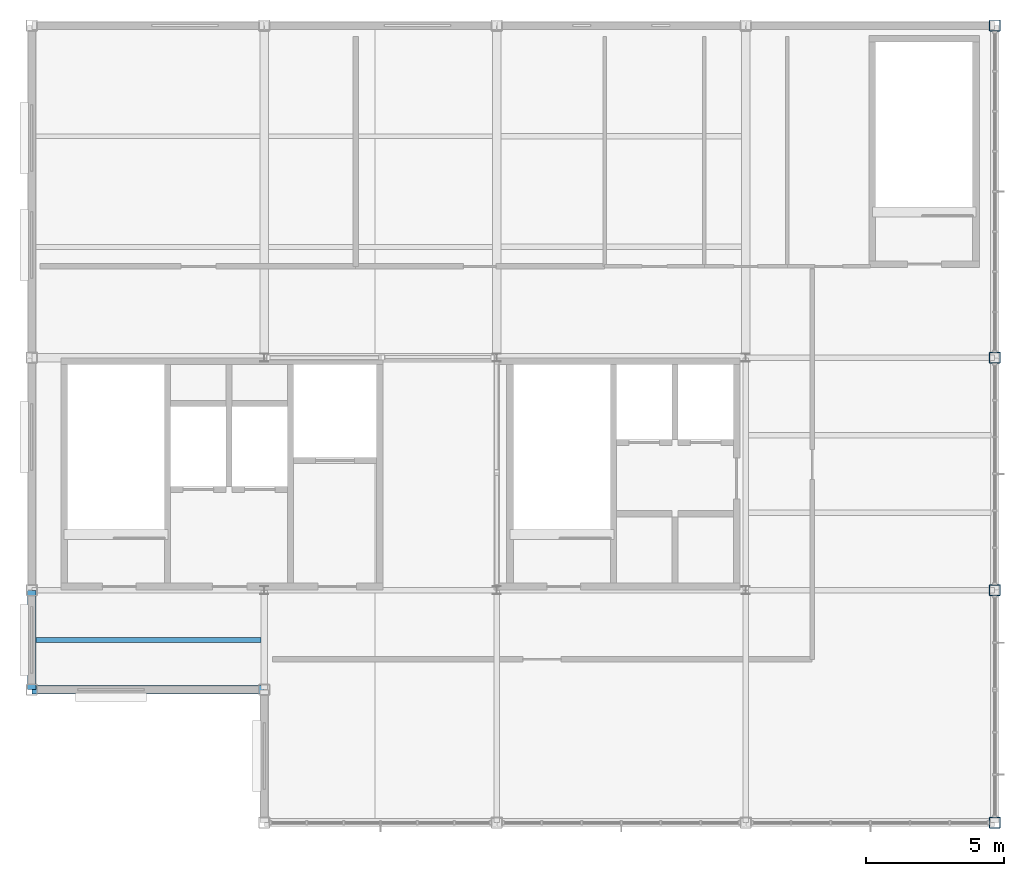
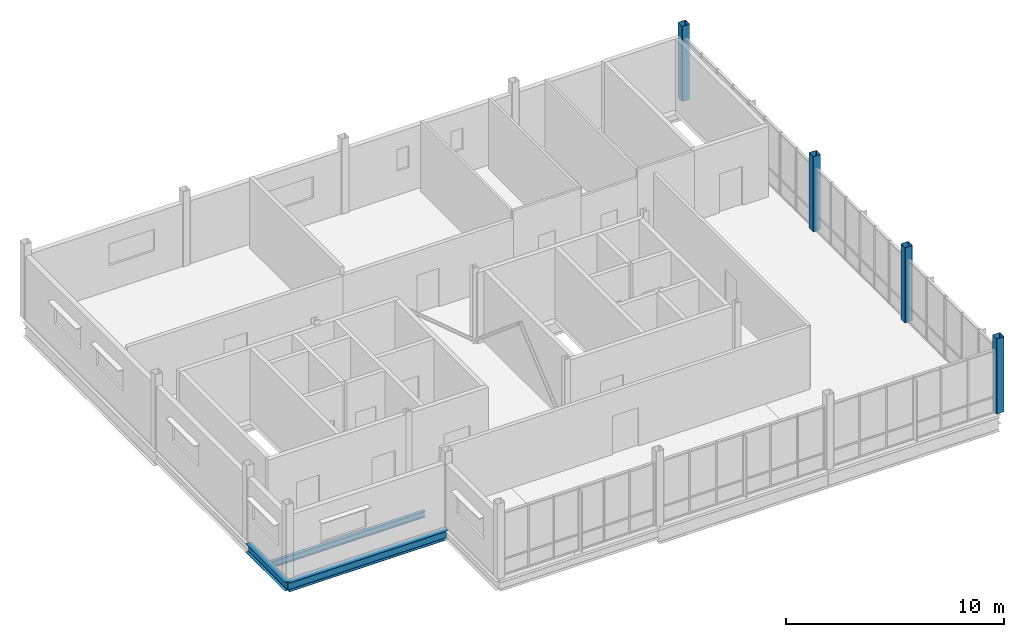
# One storey, part 3 of 15: 4 columns, 3 beams.
"""IFC4 building model written with IfcOpenShell, lengths in metres."""

import ifcopenshell
import ifcopenshell.guid

model = None  # the IFC model being written
_history = None  # IfcOwnerHistory: only IFC2X3 demands one
_inside = {}  # id of a spatial element -> (the spatial element, [elements in it])
_under = {}  # id of a project, library or spatial element -> (it, [spatial elements below it])
_declared = {}  # id of a project -> (the project, [libraries it declares])
_typed = {}  # id of a type object -> (the type object, [elements of that type])
_made_of = {}  # id of a material, layer set ... -> (it, [elements and type objects made of it])


def new_model(schema):
    """Start an empty IFC model of exactly this schema.

    Asked for "IFC4X3", IfcOpenShell would pick the latest addendum, in which some entities
    have other attributes; the version numbers below select the first issue.
    IFC2X3 requires an IfcOwnerHistory on every rooted entity: one is made here for all.
    """
    global model, _history
    if schema == "IFC4X3":
        model = ifcopenshell.file(schema_version=(4, 3, 0, 0))
    else:
        model = ifcopenshell.file(schema=schema)
    _inside.clear()
    _under.clear()
    _declared.clear()
    _typed.clear()
    _made_of.clear()
    _history = None
    if model.schema == "IFC2X3":
        org = make("IfcOrganization", Name="unknown")
        user = make(
            "IfcPersonAndOrganization",
            ThePerson=make("IfcPerson", FamilyName="unknown"),
            TheOrganization=org,
        )
        app = make(
            "IfcApplication",
            ApplicationDeveloper=org,
            Version="unknown",
            ApplicationFullName="unknown",
            ApplicationIdentifier="unknown",
        )
        _history = make(
            "IfcOwnerHistory",
            OwningUser=user,
            OwningApplication=app,
            ChangeAction="ADDED",
            CreationDate=0,
        )
    return model


def make(cls, **values):
    """One entity of the class cls with the attributes given. An attribute that is None is left unset."""
    return model.create_entity(
        cls, **{name: value for name, value in values.items() if value is not None}
    )


def rooted(cls, **values):
    """An entity with a GlobalId (a new one), such as an element, a storey or a relation."""
    return make(cls, GlobalId=ifcopenshell.guid.new(), OwnerHistory=_history, **values)


def si_unit(unit_type, name, prefix=None):
    """IfcSIUnit, for example si_unit("LENGTHUNIT", "METRE", prefix="MILLI")."""
    return make("IfcSIUnit", UnitType=unit_type, Prefix=prefix, Name=name)


def assignment(units):
    """IfcUnitAssignment: the units of a project."""
    return None if units is None else make("IfcUnitAssignment", Units=units)


def point(xyz):
    """IfcCartesianPoint."""
    return None if xyz is None else make("IfcCartesianPoint", Coordinates=xyz)


def direction(xyz):
    """IfcDirection."""
    return None if xyz is None else make("IfcDirection", DirectionRatios=xyz)


def frame(location, z_axis=None, x_axis=None):
    """IfcAxis2Placement3D, a coordinate frame: its origin and axes. An axis left out is left unset."""
    return make(
        "IfcAxis2Placement3D",
        Location=point(location),
        Axis=direction(z_axis),
        RefDirection=direction(x_axis),
    )


def frame_2d(location, x_axis=None):
    """IfcAxis2Placement2D, a coordinate frame in the plane: its origin and x axis."""
    return make(
        "IfcAxis2Placement2D", Location=point(location), RefDirection=direction(x_axis)
    )


def origin():
    """The frame at (0, 0, 0) with its axes left unset."""
    return frame((0.0, 0.0, 0.0))


def origin_2d():
    """The frame at (0, 0) in the plane with its x axis left unset."""
    return frame_2d((0.0, 0.0))


def place(relative_to, where):
    """IfcLocalPlacement: puts the frame where relative to a parent placement (None: the world)."""
    return make(
        "IfcLocalPlacement", PlacementRelTo=relative_to, RelativePlacement=where
    )


def context(
    kind, dimensions, precision=None, world=None, true_north=None, identifier=None
):
    """IfcGeometricRepresentationContext, for example the 3D "Model" context."""
    return make(
        "IfcGeometricRepresentationContext",
        ContextIdentifier=identifier,
        ContextType=kind,
        CoordinateSpaceDimension=dimensions,
        Precision=precision,
        WorldCoordinateSystem=world,
        TrueNorth=true_north,
    )


def subcontext(parent, identifier, kind, view, scale=None):
    """IfcGeometricRepresentationSubContext, for example "Body" below "Model"."""
    return make(
        "IfcGeometricRepresentationSubContext",
        ContextIdentifier=identifier,
        ContextType=kind,
        ParentContext=parent,
        TargetScale=scale,
        TargetView=view,
    )


def project(units=None, contexts=None):
    """IfcProject with its units and contexts."""
    return rooted(
        "IfcProject",
        Name="project",
        RepresentationContexts=contexts,
        UnitsInContext=assignment(units),
    )


def spatial(cls, under=None, at=None, **own):
    """A site, building, storey or space (cls), placed at a placement, below another one or the project."""
    s = rooted(cls, ObjectPlacement=at, **own)
    if under is not None:
        _under.setdefault(under.id(), (under, []))[1].append(s)
    return s


def profile(cls, at=None, kind="AREA", **sizes):
    """A parametric profile (cls). Its sizes go by their IFC names, for example OverallWidth=200.0."""
    return make(cls, ProfileType=kind, Position=at, **sizes)


def hollow_rectangle(**sizes):
    """IfcRectangleHollowProfileDef."""
    return profile("IfcRectangleHollowProfileDef", **sizes)


def i_section(**sizes):
    """IfcIShapeProfileDef."""
    return profile("IfcIShapeProfileDef", **sizes)


def extrude(swept, where, along, depth):
    """IfcExtrudedAreaSolid: the profile swept, set in the frame where, extruded along a direction by depth."""
    return make(
        "IfcExtrudedAreaSolid",
        SweptArea=swept,
        Position=where,
        ExtrudedDirection=direction(along),
        Depth=depth,
    )


def shape(context_of_items, identifier, shape_type, items):
    """IfcShapeRepresentation: the items that make up one representation, for example the "Body"."""
    return make(
        "IfcShapeRepresentation",
        ContextOfItems=context_of_items,
        RepresentationIdentifier=identifier,
        RepresentationType=shape_type,
        Items=items,
    )


def material(Name=None, Category=None):
    """IfcMaterial."""
    return make("IfcMaterial", Name=Name, Category=Category)


def material_profile(
    of_material, cross_section, Name=None, Category=None, Priority=None
):
    """IfcMaterialProfile: a cross section and its material."""
    return make(
        "IfcMaterialProfile",
        Name=Name,
        Material=of_material,
        Profile=cross_section,
        Priority=Priority,
        Category=Category,
    )


def profile_set(profiles, Name=None, composite=None):
    """IfcMaterialProfileSet."""
    return make(
        "IfcMaterialProfileSet",
        Name=Name,
        MaterialProfiles=profiles,
        CompositeProfile=composite,
    )


def made_of(thing, what):
    """Note that an element or type object is made of a material, layer set ...; save() writes the relation."""
    if what is not None:
        _made_of.setdefault(what.id(), (what, []))[1].append(thing)
    return thing


def type_object(cls, material=None, **own):
    """A type object (cls), such as IfcWallType, which elements share."""
    return made_of(rooted(cls, **own), material)


def element(
    cls,
    number,
    at=None,
    inside=None,
    cuts=None,
    type_object=None,
    material=None,
    context=None,
    identifier="Body",
    shape_type=None,
    held_by="IfcProductDefinitionShape",
    body=None,
    shapes=None,
    **own,
):
    """One element of the class cls, such as IfcWall. Its Tag is "e" and its number.

    at: its placement. inside: the storey or other place that contains it. cuts: it is an
    opening in that element (IfcRelVoidsElement). A single representation is given by context,
    identifier, shape_type and body (its items); several are given by shapes. held_by: the class
    of the entity that holds the representations. save() writes the other relations.
    """
    e = rooted(cls, Tag="e%d" % number, ObjectPlacement=at, **own)
    if body is not None:
        shapes = [shape(context, identifier, shape_type, body)]
    if shapes is not None:
        e.Representation = make(held_by, Representations=shapes)
    if inside is not None:
        _inside.setdefault(inside.id(), (inside, []))[1].append(e)
    if cuts is not None:
        rooted(
            "IfcRelVoidsElement", RelatingBuildingElement=cuts, RelatedOpeningElement=e
        )
    if type_object is not None:
        _typed.setdefault(type_object.id(), (type_object, []))[1].append(e)
    return made_of(e, material)


def aggregate(whole, parts):
    """IfcRelAggregates: a whole, such as a stair, and the parts it consists of."""
    return rooted("IfcRelAggregates", RelatingObject=whole, RelatedObjects=parts)


def save(model, path):
    """Write the relations noted so far, then the file.

    IfcRelAggregates (storeys below a building ...), IfcRelContainedInSpatialStructure (elements
    in a storey), IfcRelDefinesByType, IfcRelAssociatesMaterial and IfcRelDeclares: one each for
    every whole, place, type object, material and project.
    """
    for whole, parts in _under.values():
        aggregate(whole, parts)
    for where, things in _inside.values():
        rooted(
            "IfcRelContainedInSpatialStructure",
            RelatedElements=things,
            RelatingStructure=where,
        )
    for kind, things in _typed.values():
        rooted("IfcRelDefinesByType", RelatedObjects=things, RelatingType=kind)
    for what, things in _made_of.values():
        rooted("IfcRelAssociatesMaterial", RelatedObjects=things, RelatingMaterial=what)
    for by, libraries in _declared.values():
        rooted("IfcRelDeclares", RelatingContext=by, RelatedDefinitions=libraries)
    model.write(path)


model = new_model("IFC4")

# Units and contexts
model_context = context("Model", 3, precision=1e-05, world=origin(), true_north=direction((0.0, 1.0)))
body_context = subcontext(model_context, "Body", "Model", "MODEL_VIEW")
ifc_project = project(units=[si_unit("LENGTHUNIT", "METRE"), si_unit("AREAUNIT", "SQUARE_METRE"), si_unit("VOLUMEUNIT", "CUBIC_METRE"), si_unit("PLANEANGLEUNIT", "RADIAN"), si_unit("MASSUNIT", "GRAM", prefix="KILO")], contexts=[model_context])

# Site, building, storey
site_placement = place(None, origin())
site = spatial("IfcSite", under=ifc_project, at=site_placement, CompositionType="ELEMENT")
building_placement = place(site_placement, origin())
building = spatial("IfcBuilding", under=site, at=building_placement, Name="Yukiwa Park Conservatory and Herbarium", CompositionType="ELEMENT")
storey_placement = place(building_placement, frame((0.0, 0.0, 61.199951171875)))
storey = spatial("IfcBuildingStorey", under=building, at=storey_placement, Name="L16", CompositionType="ELEMENT", Elevation=61.199951171875)

# Columns
ifc_material_1 = material(Name="Steel Q355D", Category="steel")
ifc_material_profile_1 = material_profile(ifc_material_1, hollow_rectangle(XDim=0.39990234375, YDim=0.39990234375, WallThickness=0.01611328125, InnerFilletRadius=0.01611328125, OuterFilletRadius=0.031982421875, at=origin_2d()), Name="BOX 400x400x16")
ifc_profile_set_1 = profile_set([ifc_material_profile_1], Name="Steel Q355D")
column_type = type_object("IfcColumnType", Name="COL-TW-BOX400-EXT", PredefinedType="COLUMN", material=ifc_profile_set_1)
for number, where, z_axis, x_axis, name in (
    (1, (168.0, 86.39990234375, 0.0), (0.0, 0.0, 1.0), (1.0, 0.0, 0.0), "L16 column V5-X1680-Y864"),
    (2, (168.0, 94.800048828125, 0.0), (0.0, 0.0, 1.0), (1.0, 0.0, 0.0), "L16 column V5-X1680-Y948"),
    (3, (168.0, 103.199951171875, 0.0), (0.0, 0.0, 1.0), (1.0, 0.0, 0.0), "L16 column V5-X1680-Y1032"),
    (4, (168.0, 115.199951171875, 0.0), (0.0, 0.0, 1.0), (1.0, 0.0, 0.0), "L16 column V5-X1680-Y1152"),
):
    element("IfcColumn", number, at=place(storey_placement, frame(where, z_axis=z_axis, x_axis=x_axis)), inside=storey, type_object=column_type, Name=name, PredefinedType="COLUMN", context=body_context, shape_type="SweptSolid", body=[
        extrude(hollow_rectangle(XDim=0.39990234375, YDim=0.39990234375, WallThickness=0.01611328125, InnerFilletRadius=0.01611328125, OuterFilletRadius=0.031982421875, at=origin_2d()), origin(), (0.0, 0.0, 1.0), 4.199951171875),
    ])

# Beams
ifc_material_2 = material(Name="Steel Q355D", Category="steel")
ifc_material_profile_2 = material_profile(ifc_material_2, i_section(OverallWidth=0.174072265625, OverallDepth=0.345947265625, WebThickness=0.006103515625, FlangeThickness=0.009033203125, FilletRadius=0.013916015625, at=origin_2d()), Name="HN 346x174x6x9")
ifc_profile_set_2 = profile_set([ifc_material_profile_2], Name="Steel Q355D")
beam_type_1 = type_object("IfcBeamType", Name="BM-JST-HN346", PredefinedType="JOIST", material=ifc_profile_set_2)
beam_1_placement = place(storey_placement, frame((133.345947265625, 93.0, -0.44287109375), z_axis=(1.0, 0.0, 0.0), x_axis=(0.0, 1.0, 0.0)))
element("IfcBeam", 5, at=beam_1_placement, inside=storey, type_object=beam_type_1, Name="L16 composite floor joist 1", PredefinedType="JOIST", context=body_context, shape_type="SweptSolid", body=[
    extrude(i_section(OverallWidth=0.174072265625, OverallDepth=0.345947265625, WebThickness=0.006103515625, FlangeThickness=0.009033203125, FilletRadius=0.013916015625, at=origin_2d()), origin(), (0.0, 0.0, 1.0), 8.133056640625),
])
ifc_material_3 = material(Name="Steel Q355D", Category="steel")
ifc_material_profile_3 = material_profile(ifc_material_3, i_section(OverallWidth=0.300048828125, OverallDepth=0.493896484375, WebThickness=0.010986328125, FlangeThickness=0.014892578125, FilletRadius=0.02392578125, at=origin_2d()), Name="HM 494x300x11x15")
ifc_profile_set_3 = profile_set([ifc_material_profile_3], Name="Steel Q355D")
beam_type_2 = type_object("IfcBeamType", Name="BM-SPN-HN450", PredefinedType="SPANDREL", material=ifc_profile_set_3)
beam_2_placement = place(storey_placement, frame((133.199951171875, 91.2060546875, -0.516845703125), z_axis=(0.0, 1.0, 0.0), x_axis=(-1.0, 0.0, 0.0)))
element("IfcBeam", 6, at=beam_2_placement, inside=storey, type_object=beam_type_2, Name="L16 spandrel girder Y-17", PredefinedType="SPANDREL", context=body_context, shape_type="SweptSolid", body=[
    extrude(i_section(OverallWidth=0.300048828125, OverallDepth=0.493896484375, WebThickness=0.010986328125, FlangeThickness=0.014892578125, FilletRadius=0.02392578125, at=origin_2d()), origin(), (0.0, 0.0, 1.0), 3.587890625),
])
ifc_material_4 = material(Name="Steel Q355D", Category="steel")
ifc_material_profile_4 = material_profile(ifc_material_4, i_section(OverallWidth=0.300048828125, OverallDepth=0.5, WebThickness=0.010986328125, FlangeThickness=0.01806640625, FilletRadius=0.02392578125, at=origin_2d()), Name="HM 500x300x11x18")
ifc_profile_set_4 = profile_set([ifc_material_profile_4], Name="Steel Q355D")
beam_type_3 = type_object("IfcBeamType", Name="BM-SPN-HN500", PredefinedType="SPANDREL", material=ifc_profile_set_4)
beam_3_placement = place(storey_placement, frame((133.2060546875, 91.199951171875, -0.52001953125), z_axis=(1.0, 0.0, 0.0), x_axis=(0.0, 1.0, 0.0)))
element("IfcBeam", 7, at=beam_3_placement, inside=storey, type_object=beam_type_3, Name="L16 spandrel beam X-4", PredefinedType="SPANDREL", context=body_context, shape_type="SweptSolid", body=[
    extrude(i_section(OverallWidth=0.300048828125, OverallDepth=0.5, WebThickness=0.010986328125, FlangeThickness=0.01806640625, FilletRadius=0.02392578125, at=origin_2d()), origin(), (0.0, 0.0, 1.0), 8.387939453125),
])

save(model, "model.ifc")
